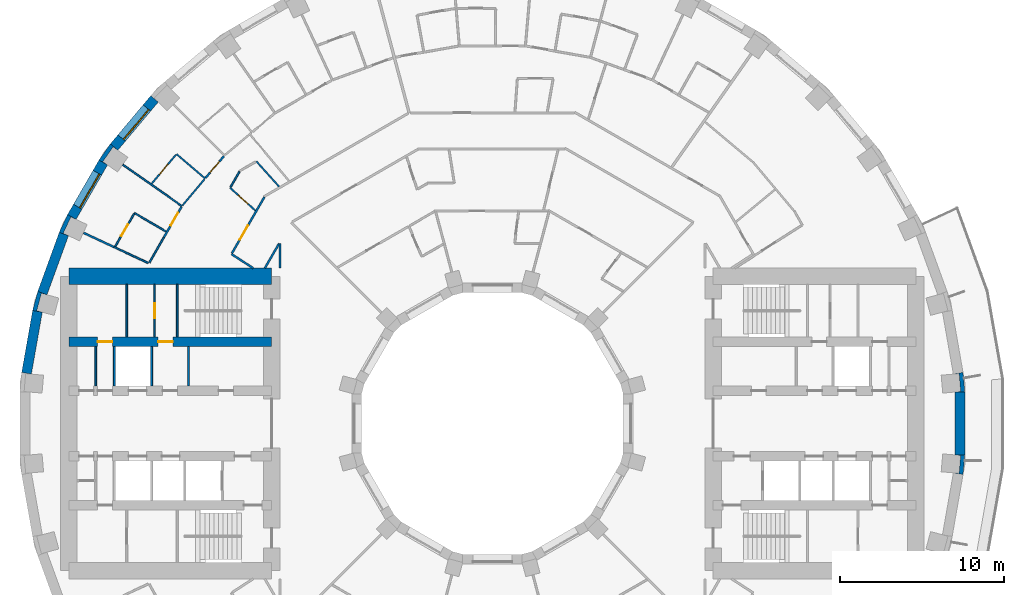
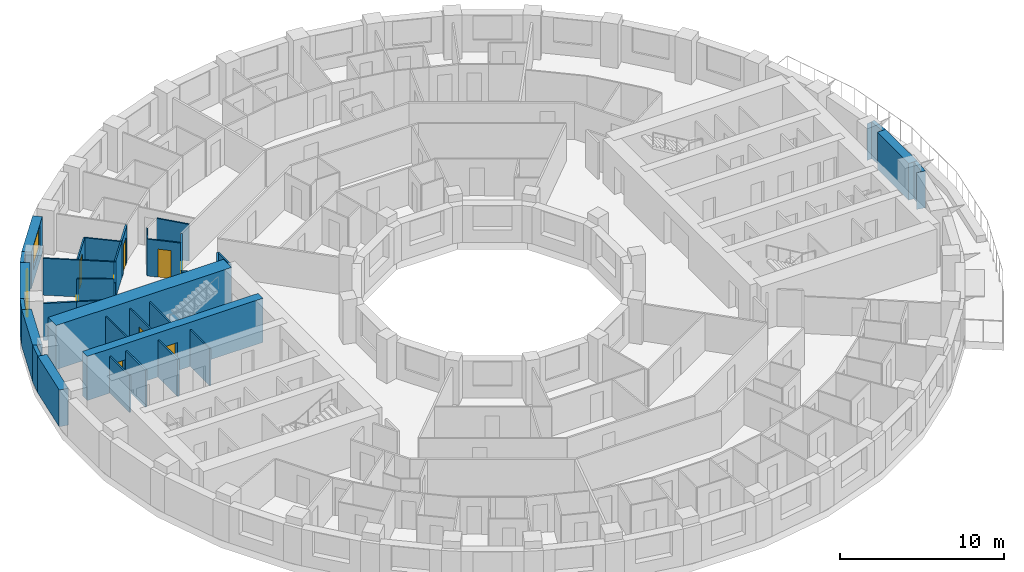
# One storey, part 8 of 14: 37 walls, 9 doors, 2 windows, 11 openings.
"""IFC4 building model written with IfcOpenShell, lengths in metres."""

from ifc_helpers import new_model, si_unit, direction, frame, frame_2d, origin, place, context, subcontext, project, spatial, polyline, rectangle, outline, extrude, material, layer, layer_set, type_object, element, fill, save


model = new_model("IFC4")

# Units and contexts
model_context = context("Model", 3, precision=1e-05, world=origin(), true_north=direction((0.0, 1.0)))
body_context = subcontext(model_context, "Body", "Model", "MODEL_VIEW")
ifc_project = project(units=[si_unit("LENGTHUNIT", "METRE"), si_unit("AREAUNIT", "SQUARE_METRE"), si_unit("VOLUMEUNIT", "CUBIC_METRE"), si_unit("PLANEANGLEUNIT", "RADIAN"), si_unit("MASSUNIT", "GRAM", prefix="KILO")], contexts=[model_context])

# Site, building, storey
site_placement = place(None, origin())
site = spatial("IfcSite", under=ifc_project, at=site_placement, CompositionType="ELEMENT")
building_placement = place(site_placement, origin())
building = spatial("IfcBuilding", under=site, at=building_placement, Name="Saqina Gate Tower", CompositionType="ELEMENT")
storey_placement = place(building_placement, frame((0.0, 0.0, 49.39990234375)))
storey = spatial("IfcBuildingStorey", under=building, at=storey_placement, Name="L13", CompositionType="ELEMENT", Elevation=49.39990234375)

# Walls
ifc_material_1 = material(Name="Brick masonry (red)", Category="masonry")
wall_type_1 = type_object("IfcWallType", Name="BRICK PIER COPING RED", PredefinedType="SOLIDWALL", material=ifc_material_1)
wall_1_placement = place(storey_placement, origin())
element("IfcWall", 1, at=wall_1_placement, inside=storey, type_object=wall_type_1, Name="Pier cap L13 column 1", PredefinedType="SOLIDWALL", context=body_context, shape_type="SweptSolid", body=[
    extrude(outline(polyline([(28.8896484375, 1.9228515625), (28.78466796875, 3.122802734375), (28.19384765625, 3.018798828125), (28.54296875, 3.04931640625), (28.638671875, 1.95361328125), (28.28955078125, 1.9228515625), (28.8896484375, 1.9228515625)])), origin(), (0.0, 0.0, 1.0), 2.75),
])
wall_2_placement = place(storey_placement, origin())
element("IfcWall", 2, at=wall_2_placement, inside=storey, type_object=wall_type_1, Name="Pier cap L13 column 15", PredefinedType="SOLIDWALL", context=body_context, shape_type="SweptSolid", body=[
    extrude(outline(polyline([(-23.36669921875, 17.096923828125), (-24.0576171875, 16.110107421875), (-23.5380859375, 15.81005859375), (-23.8251953125, 16.010986328125), (-23.194091796875, 16.912109375), (-22.9072265625, 16.711181640625), (-23.36669921875, 17.096923828125)])), origin(), (0.0, 0.0, 1.0), 2.75),
])
wall_3_placement = place(storey_placement, origin())
element("IfcWall", 3, at=wall_3_placement, inside=storey, type_object=wall_type_1, Name="Pier cap L13 column 16", PredefinedType="SOLIDWALL", context=body_context, shape_type="SweptSolid", body=[
    extrude(outline(polyline([(-26.48974609375, 11.687744140625), (-25.92578125, 11.482666015625), (-26.243408203125, 11.630615234375), (-25.778564453125, 12.627685546875), (-25.4609375, 12.4794921875), (-25.980712890625, 12.779541015625), (-26.48974609375, 11.687744140625)])), origin(), (0.0, 0.0, 1.0), 2.75),
])
wall_4_placement = place(storey_placement, origin())
element("IfcWall", 4, at=wall_4_placement, inside=storey, type_object=wall_type_1, Name="Pier cap L13 column 17", PredefinedType="SOLIDWALL", context=body_context, shape_type="SweptSolid", body=[
    extrude(outline(polyline([(-28.11669921875, 6.910400390625), (-27.52587890625, 6.80615234375), (-27.864501953125, 6.896728515625), (-27.57958984375, 7.95947265625), (-27.2412109375, 7.86865234375), (-27.80517578125, 8.073974609375), (-28.11669921875, 6.910400390625)])), origin(), (0.0, 0.0, 1.0), 2.75),
])
wall_5_placement = place(storey_placement, origin())
element("IfcWall", 5, at=wall_5_placement, inside=storey, type_object=wall_type_1, Name="Pier cap L13 column 36", PredefinedType="SOLIDWALL", context=body_context, shape_type="SweptSolid", body=[
    extrude(outline(polyline([(28.78466796875, -3.122802734375), (28.8896484375, -1.9228515625), (28.28955078125, -1.9228515625), (28.638671875, -1.95361328125), (28.54296875, -3.04931640625), (28.19384765625, -3.018798828125), (28.78466796875, -3.122802734375)])), origin(), (0.0, 0.0, 1.0), 2.75),
])
ifc_material_2 = material(Name="Gypsum board on steel studs", Category="steel")
ifc_layer_1 = layer(ifc_material_2, 0.10009765625)
ifc_layer_set_1 = layer_set([ifc_layer_1], Name="CORE PARTITION")
wall_type_2 = type_object("IfcWallType", Name="CORE PARTITION", PredefinedType="PARTITIONING", material=ifc_layer_set_1)
for number, where, z_axis, x_axis, name in (
    (6, (-18.582763671875, 2.300048828125, 0.0), (0.0, 0.0, 1.0), (0.0, 1.0, 0.0), "L13-CP-W01"),
    (7, (-24.260009765625, 2.300048828125, 0.0), (0.0, 0.0, 1.0), (0.0, 1.0, 0.0), "L13-CP-W04"),
):
    element("IfcWall", number, at=place(storey_placement, frame(where, z_axis=z_axis, x_axis=x_axis)), inside=storey, type_object=wall_type_2, Name=name, PredefinedType="PARTITIONING", context=body_context, shape_type="SweptSolid", body=[
        extrude(rectangle(XDim=2.39990234375, YDim=0.10009765625, at=frame_2d((1.199951171875, 0.0))), origin(), (0.0, 0.0, 1.0), 2.75),
    ])

# Wall, opening, door
wall_6_placement = place(storey_placement, frame((-20.65771484375, 5.300048828125, 0.0), z_axis=(0.0, 0.0, 1.0), x_axis=(0.0, 1.0, 0.0)))
wall_6 = element("IfcWall", 8, at=wall_6_placement, inside=storey, type_object=wall_type_2, Name="L13-CP-W12", PredefinedType="PARTITIONING", context=body_context, shape_type="SweptSolid", body=[
    extrude(rectangle(XDim=3.199951171875, YDim=0.10009765625, at=frame_2d((1.60009765625, 0.0))), origin(), (0.0, 0.0, 1.0), 2.75),
])
opening_1_placement = place(wall_6_placement, frame((1.14990234375, 0.0, 0.0)))
opening_1 = element("IfcOpeningElement", 9, at=opening_1_placement, cuts=wall_6, Name="Opening G03-D114", PredefinedType="OPENING", context=body_context, shape_type="SweptSolid", body=[
    extrude(rectangle(XDim=0.89990234375, YDim=2.10009765625, at=frame_2d((0.449951171875, 1.050048828125))), frame((0.0, 0.06201171875, 0.0), z_axis=(0.0, -1.0, 0.0), x_axis=(1.0, 0.0, 0.0)), (0.0, 0.0, 1.0), 0.1240234375),
])
ifc_material_3 = material(Name="Steel-framed fire door leaf, EI 60", Category="steel")
door_type_1 = type_object("IfcDoorType", Name="SERVICE ROOM DOOR 900", OperationType="SINGLE_SWING_LEFT", PredefinedType="DOOR", material=ifc_material_3)
door_1_placement = place(opening_1_placement, origin())
door_1 = element("IfcDoor", 10, at=door_1_placement, inside=storey, type_object=door_type_1, Name="L13-CD-W25", OperationType="SINGLE_SWING_LEFT", OverallHeight=2.10009765625, OverallWidth=0.89990234375, PredefinedType="DOOR", context=body_context, shape_type="SweptSolid", body=[
    extrude(rectangle(XDim=0.89990234375, YDim=2.10009765625, at=frame_2d((0.449951171875, 1.050048828125))), frame((0.0, 0.02490234375, 0.0), z_axis=(0.0, -1.0, 0.0), x_axis=(1.0, 0.0, 0.0)), (0.0, 0.0, 1.0), 0.050048828125),
])
fill(opening_1, door_1)

# Wall
wall_7_placement = place(storey_placement, frame((-22.360107421875, 5.300048828125, 0.0), z_axis=(0.0, 0.0, 1.0), x_axis=(0.0, 1.0, 0.0)))
element("IfcWall", 11, at=wall_7_placement, inside=storey, type_object=wall_type_2, Name="L13-CP-W13", PredefinedType="PARTITIONING", context=body_context, shape_type="SweptSolid", body=[
    extrude(rectangle(XDim=3.199951171875, YDim=0.10009765625, at=frame_2d((1.60009765625, 0.0))), origin(), (0.0, 0.0, 1.0), 2.75),
])

# Wall, opening, window
ifc_material_4 = material(Name="Brick masonry (red)", Category="masonry")
ifc_layer_2 = layer(ifc_material_4, 0.60009765625)
ifc_layer_set_2 = layer_set([ifc_layer_2], Name="FW-BRICK-RED")
wall_type_3 = type_object("IfcWallType", Name="FW-BRICK-RED", PredefinedType="SOLIDWALL", material=ifc_layer_set_2)
wall_8_placement = place(storey_placement, frame((-20.664794921875, 19.85009765625, 0.0), z_axis=(0.0, 0.0, 1.0), x_axis=(-0.642809392687, -0.766026164483, 0.0)))
wall_8 = element("IfcWall", 12, at=wall_8_placement, inside=storey, type_object=wall_type_3, Name="Facade wall L13 facet 14", PredefinedType="SOLIDWALL", context=body_context, shape_type="SweptSolid", body=[
    extrude(rectangle(XDim=3.845947265625, YDim=0.60009765625, at=frame_2d((1.9228515625, 0.0))), origin(), (0.0, 0.0, 1.0), 2.75),
])
opening_2_placement = place(wall_8_placement, frame((0.722900390625, 0.0, 0.89990234375)))
opening_2 = element("IfcOpeningElement", 13, at=opening_2_placement, cuts=wall_8, Name="Opening G03-W12", PredefinedType="OPENING", context=body_context, shape_type="SweptSolid", body=[
    extrude(rectangle(XDim=2.39990234375, YDim=1.800048828125, at=frame_2d((1.199951171875, 0.89990234375))), frame((0.0, 0.31201171875, 0.0), z_axis=(0.0, -1.0, 0.0), x_axis=(1.0, 0.0, 0.0)), (0.0, 0.0, 1.0), 0.6240234375),
])
ifc_material_5 = material(Name="Aluminium glazing", Category="aluminium")
window_type = type_object("IfcWindowType", Name="WN-A", PartitioningType="SINGLE_PANEL", PredefinedType="WINDOW", material=ifc_material_5)
window_1_placement = place(opening_2_placement, origin())
window_1 = element("IfcWindow", 14, at=window_1_placement, inside=storey, type_object=window_type, Name="Window L13 facet 14", OverallHeight=1.800048828125, OverallWidth=2.39990234375, PartitioningType="SINGLE_PANEL", PredefinedType="WINDOW", context=body_context, shape_type="SweptSolid", body=[
    extrude(rectangle(XDim=2.39990234375, YDim=1.800048828125, at=frame_2d((1.199951171875, 0.89990234375))), frame((0.0, 0.179931640625, 0.0), z_axis=(0.0, -1.0, 0.0), x_axis=(1.0, 0.0, 0.0)), (0.0, 0.0, 1.0), 0.06005859375),
])
fill(opening_2, window_1)

wall_9_placement = place(storey_placement, frame((-23.7978515625, 15.960205078125, 0.0), z_axis=(0.0, 0.0, 1.0), x_axis=(-0.499989888488, -0.86603124159, 0.0)))
wall_9 = element("IfcWall", 15, at=wall_9_placement, inside=storey, type_object=wall_type_3, Name="Facade wall L13 facet 15", PredefinedType="SOLIDWALL", context=body_context, shape_type="SweptSolid", body=[
    extrude(rectangle(XDim=3.845703125, YDim=0.60009765625, at=frame_2d((1.9228515625, 0.0))), origin(), (0.0, 0.0, 1.0), 2.75),
])
opening_3_placement = place(wall_9_placement, frame((0.722900390625, 0.0, 0.89990234375)))
opening_3 = element("IfcOpeningElement", 16, at=opening_3_placement, cuts=wall_9, Name="Opening G03-W13", PredefinedType="OPENING", context=body_context, shape_type="SweptSolid", body=[
    extrude(rectangle(XDim=2.39990234375, YDim=1.800048828125, at=frame_2d((1.199951171875, 0.89990234375))), frame((0.0, 0.31201171875, 0.0), z_axis=(0.0, -1.0, 0.0), x_axis=(1.0, 0.0, 0.0)), (0.0, 0.0, 1.0), 0.6240234375),
])
window_2_placement = place(opening_3_placement, origin())
window_2 = element("IfcWindow", 17, at=window_2_placement, inside=storey, type_object=window_type, Name="Window L13 facet 15", OverallHeight=1.800048828125, OverallWidth=2.39990234375, PartitioningType="SINGLE_PANEL", PredefinedType="WINDOW", context=body_context, shape_type="SweptSolid", body=[
    extrude(rectangle(XDim=2.39990234375, YDim=1.800048828125, at=frame_2d((1.199951171875, 0.89990234375))), frame((0.0, 0.179931640625, 0.0), z_axis=(0.0, -1.0, 0.0), x_axis=(1.0, 0.0, 0.0)), (0.0, 0.0, 1.0), 0.06005859375),
])
fill(opening_3, window_2)

# Walls
ifc_material_6 = material(Name="Glazed ceramic tile", Category="ceramic")
ifc_layer_3 = layer(ifc_material_6, 0.60009765625)
ifc_layer_set_3 = layer_set([ifc_layer_3], Name="FW-TILE")
wall_type_4 = type_object("IfcWallType", Name="FW-TILE", PredefinedType="SOLIDWALL", material=ifc_layer_set_3)
wall_10_placement = place(storey_placement, frame((-26.207763671875, 11.585205078125, 0.0), z_axis=(0.0, 0.0, 1.0), x_axis=(-0.342028474173, -0.939689588564, 0.0)))
element("IfcWall", 18, at=wall_10_placement, inside=storey, type_object=wall_type_4, Name="Facade wall L13 facet 16", PredefinedType="SOLIDWALL", context=body_context, shape_type="SweptSolid", body=[
    extrude(rectangle(XDim=3.845947265625, YDim=0.60009765625, at=frame_2d((1.9228515625, 0.0))), origin(), (0.0, 0.0, 1.0), 2.75),
])
wall_11_placement = place(storey_placement, frame((28.589599609375, -1.9228515625, 0.0), z_axis=(0.0, 0.0, 1.0), x_axis=(0.0, 1.0, 0.0)))
element("IfcWall", 19, at=wall_11_placement, inside=storey, type_object=wall_type_4, Name="Facade wall L13 facet 36", PredefinedType="SOLIDWALL", context=body_context, shape_type="SweptSolid", body=[
    extrude(rectangle(XDim=3.845703125, YDim=0.60009765625, at=frame_2d((1.9228515625, 0.0))), origin(), (0.0, 0.0, 1.0), 2.75),
])
ifc_material_7 = material(Name="Glazed ceramic tile (dark blue)", Category="ceramic")
ifc_layer_4 = layer(ifc_material_7, 0.60009765625)
ifc_layer_set_4 = layer_set([ifc_layer_4], Name="FW-TILE-CB")
wall_type_5 = type_object("IfcWallType", Name="FW-TILE-CB", PredefinedType="SOLIDWALL", material=ifc_layer_set_4)
wall_12_placement = place(storey_placement, frame((-27.8212890625, 6.858154296875, 0.0), z_axis=(0.0, 0.0, 1.0), x_axis=(-0.173687553279, -0.984800809218, 0.0)))
element("IfcWall", 20, at=wall_12_placement, inside=storey, type_object=wall_type_5, Name="Facade wall L13 facet 17", PredefinedType="SOLIDWALL", context=body_context, shape_type="SweptSolid", body=[
    extrude(rectangle(XDim=3.845703125, YDim=0.60009765625, at=frame_2d((1.9228515625, 0.0))), origin(), (0.0, 0.0, 1.0), 2.75),
])
ifc_material_8 = material(Name="Gypsum board on steel studs, 100 mm", Category="steel")
ifc_layer_5 = layer(ifc_material_8, 0.10009765625)
ifc_layer_set_5 = layer_set([ifc_layer_5], Name="PARTITION 100")
wall_type_6 = type_object("IfcWallType", Name="PARTITION 100", PredefinedType="PARTITIONING", material=ifc_layer_set_5)
wall_13_placement = place(storey_placement, frame((-14.43408203125, 16.030029296875, 0.0), z_axis=(0.0, 0.0, 1.0), x_axis=(0.669113598408, -0.743160139153, 0.0)))
element("IfcWall", 21, at=wall_13_placement, inside=storey, type_object=wall_type_6, Name="PARTITION PW3-32", PredefinedType="PARTITIONING", context=body_context, shape_type="SweptSolid", body=[
    extrude(rectangle(XDim=2.083740234375, YDim=0.10009765625, at=frame_2d((1.0419921875, 0.0))), origin(), (0.0, 0.0, 1.0), 2.75),
])

# Wall, opening, door
wall_14_placement = place(storey_placement, frame((-16.0419921875, 14.4130859375, 0.0), z_axis=(0.0, 0.0, 1.0), x_axis=(0.743835847678, -0.668362350608, 0.0)))
wall_14 = element("IfcWall", 22, at=wall_14_placement, inside=storey, type_object=wall_type_6, Name="PARTITION PW3-35", PredefinedType="PARTITIONING", context=body_context, shape_type="SweptSolid", body=[
    extrude(rectangle(XDim=2.083251953125, YDim=0.10009765625, at=frame_2d((1.04150390625, 0.0))), origin(), (0.0, 0.0, 1.0), 2.75),
])
opening_4_placement = place(wall_14_placement, frame((0.6728515625, 0.0, 0.0)))
opening_4 = element("IfcOpeningElement", 23, at=opening_4_placement, cuts=wall_14, Name="Opening G03-D34", PredefinedType="OPENING", context=body_context, shape_type="SweptSolid", body=[
    extrude(rectangle(XDim=0.800048828125, YDim=2.10009765625, at=frame_2d((0.39990234375, 1.050048828125))), frame((0.0, 0.06201171875, 0.0), z_axis=(0.0, -1.0, 0.0), x_axis=(1.0, 0.0, 0.0)), (0.0, 0.0, 1.0), 0.1240234375),
])
ifc_material_9 = material(Name="Timber door leaf, 800 mm", Category="wood")
door_type_2 = type_object("IfcDoorType", Name="DOOR 800 TIMBER", OperationType="SINGLE_SWING_LEFT", PredefinedType="DOOR", material=ifc_material_9)
door_2_placement = place(opening_4_placement, frame((0.800048828125, 0.0, 0.0), z_axis=(0.0, 0.0, 1.0), x_axis=(-1.0, 0.0, 0.0)))
door_2 = element("IfcDoor", 24, at=door_2_placement, inside=storey, type_object=door_type_2, Name="DOOR G03-D34", OperationType="SINGLE_SWING_LEFT", OverallHeight=2.10009765625, OverallWidth=0.800048828125, PredefinedType="DOOR", context=body_context, shape_type="SweptSolid", body=[
    extrude(rectangle(XDim=0.800048828125, YDim=2.10009765625, at=frame_2d((0.39990234375, 1.050048828125))), frame((0.0, 0.02490234375, 0.0), z_axis=(0.0, -1.0, 0.0), x_axis=(1.0, 0.0, 0.0)), (0.0, 0.0, 1.0), 0.050048828125),
])
fill(opening_4, door_2)

# Walls
wall_15_placement = place(storey_placement, frame((-19.319091796875, 16.47607421875, 0.0), z_axis=(0.0, 0.0, 1.0), x_axis=(0.760722977127, -0.649076691979, 0.0)))
element("IfcWall", 25, at=wall_15_placement, inside=storey, type_object=wall_type_6, Name="PARTITION PW3-36", PredefinedType="PARTITIONING", context=body_context, shape_type="SweptSolid", body=[
    extrude(rectangle(XDim=2.300537109375, YDim=0.10009765625, at=frame_2d((1.150390625, 0.0))), origin(), (0.0, 0.0, 1.0), 2.75),
])
wall_16_placement = place(storey_placement, frame((-22.597412109375, 15.829345703125, 0.0), z_axis=(0.0, 0.0, 1.0), x_axis=(0.818435722788, -0.57459809229, 0.0)))
element("IfcWall", 26, at=wall_16_placement, inside=storey, type_object=wall_type_6, Name="PARTITION PW3-41", PredefinedType="PARTITIONING", context=body_context, shape_type="SweptSolid", body=[
    extrude(rectangle(XDim=4.41259765625, YDim=0.10009765625, at=frame_2d((2.206298828125, 0.0))), origin(), (0.0, 0.0, 1.0), 2.75),
])
wall_17_placement = place(storey_placement, frame((-21.885986328125, 12.87109375, 0.0), z_axis=(0.0, 0.0, 1.0), x_axis=(0.861880909545, -0.507110735206, 0.0)))
element("IfcWall", 27, at=wall_17_placement, inside=storey, type_object=wall_type_6, Name="PARTITION PW3-43", PredefinedType="PARTITIONING", context=body_context, shape_type="SweptSolid", body=[
    extrude(rectangle(XDim=2.2373046875, YDim=0.10009765625, at=frame_2d((1.11865234375, 0.0))), origin(), (0.0, 0.0, 1.0), 2.75),
])
wall_18_placement = place(storey_placement, frame((-23.144287109375, 10.7919921875, 0.0), z_axis=(0.0, 0.0, 1.0), x_axis=(0.906334330548, -0.422561334329, 0.0)))
element("IfcWall", 28, at=wall_18_placement, inside=storey, type_object=wall_type_6, Name="PARTITION PW3-52", PredefinedType="PARTITIONING", context=body_context, shape_type="SweptSolid", body=[
    extrude(rectangle(XDim=2.309326171875, YDim=0.10009765625, at=frame_2d((1.15478515625, 0.0))), origin(), (0.0, 0.0, 1.0), 2.75),
])
wall_19_placement = place(storey_placement, frame((-18.953857421875, 13.332275390625, 0.0), z_axis=(0.0, 0.0, 1.0), x_axis=(0.642759429892, 0.766068087891, 0.0)))
element("IfcWall", 29, at=wall_19_placement, inside=storey, type_object=wall_type_6, Name="PARTITION PW3-103", PredefinedType="PARTITIONING", context=body_context, shape_type="SweptSolid", body=[
    extrude(rectangle(XDim=2.104736328125, YDim=0.10009765625, at=frame_2d((1.05224609375, 0.0))), origin(), (0.0, 0.0, 1.0), 2.75),
])

# Wall, opening, door
wall_20_placement = place(storey_placement, frame((-20.844970703125, 14.6572265625, 0.0), z_axis=(0.0, 0.0, 1.0), x_axis=(0.642753483788, 0.766073076853, 0.0)))
wall_20 = element("IfcWall", 30, at=wall_20_placement, inside=storey, type_object=wall_type_6, Name="PARTITION PW3-104", PredefinedType="PARTITIONING", context=body_context, shape_type="SweptSolid", body=[
    extrude(rectangle(XDim=2.32421875, YDim=0.10009765625, at=frame_2d((1.162109375, 0.0))), origin(), (0.0, 0.0, 1.0), 2.75),
])
opening_5_placement = place(wall_20_placement, frame((0.761962890625, 0.0, 0.0)))
opening_5 = element("IfcOpeningElement", 31, at=opening_5_placement, cuts=wall_20, Name="Opening G03-D35", PredefinedType="OPENING", context=body_context, shape_type="SweptSolid", body=[
    extrude(rectangle(XDim=0.800048828125, YDim=2.10009765625, at=frame_2d((0.39990234375, 1.050048828125))), frame((0.0, 0.06201171875, 0.0), z_axis=(0.0, -1.0, 0.0), x_axis=(1.0, 0.0, 0.0)), (0.0, 0.0, 1.0), 0.1240234375),
])
door_3_placement = place(opening_5_placement, origin())
door_3 = element("IfcDoor", 32, at=door_3_placement, inside=storey, type_object=door_type_2, Name="DOOR G03-D35", OperationType="SINGLE_SWING_LEFT", OverallHeight=2.10009765625, OverallWidth=0.800048828125, PredefinedType="DOOR", context=body_context, shape_type="SweptSolid", body=[
    extrude(rectangle(XDim=0.800048828125, YDim=2.10009765625, at=frame_2d((0.39990234375, 1.050048828125))), frame((0.0, 0.02490234375, 0.0), z_axis=(0.0, -1.0, 0.0), x_axis=(1.0, 0.0, 0.0)), (0.0, 0.0, 1.0), 0.050048828125),
])
fill(opening_5, door_3)

# Walls
wall_21_placement = place(storey_placement, frame((-16.01708984375, 14.456298828125, 0.0), z_axis=(0.0, 0.0, 1.0), x_axis=(0.499864305946, 0.86610373261, 0.0)))
element("IfcWall", 33, at=wall_21_placement, inside=storey, type_object=wall_type_6, Name="PARTITION PW3-108", PredefinedType="PARTITIONING", context=body_context, shape_type="SweptSolid", body=[
    extrude(rectangle(XDim=1.092529296875, YDim=0.10009765625, at=frame_2d((0.54638671875, 0.0))), origin(), (0.0, 0.0, 1.0), 2.75),
])
wall_22_placement = place(storey_placement, frame((-20.98095703125, 9.83837890625, 0.0), z_axis=(0.0, 0.0, 1.0), x_axis=(0.49973828311, 0.866176453382, 0.0)))
element("IfcWall", 34, at=wall_22_placement, inside=storey, type_object=wall_type_6, Name="PARTITION PW3-109", PredefinedType="PARTITIONING", context=body_context, shape_type="SweptSolid", body=[
    extrude(rectangle(XDim=1.7802734375, YDim=0.10009765625, at=frame_2d((0.89013671875, 0.0))), origin(), (0.0, 0.0, 1.0), 2.75),
])

# Wall, opening, door
wall_23_placement = place(storey_placement, frame((-23.07275390625, 10.816162109375, 0.0), z_axis=(0.0, 0.0, 1.0), x_axis=(0.500174283544, 0.865924757748, 0.0)))
wall_23 = element("IfcWall", 35, at=wall_23_placement, inside=storey, type_object=wall_type_6, Name="PARTITION PW3-110", PredefinedType="PARTITIONING", context=body_context, shape_type="SweptSolid", body=[
    extrude(rectangle(XDim=2.322998046875, YDim=0.10009765625, at=frame_2d((1.16162109375, 0.0))), origin(), (0.0, 0.0, 1.0), 2.75),
])
opening_6_placement = place(wall_23_placement, frame((0.76025390625, 0.0, 0.0)))
opening_6 = element("IfcOpeningElement", 36, at=opening_6_placement, cuts=wall_23, Name="Opening G03-D38", PredefinedType="OPENING", context=body_context, shape_type="SweptSolid", body=[
    extrude(rectangle(XDim=0.800048828125, YDim=2.10009765625, at=frame_2d((0.39990234375, 1.050048828125))), frame((0.0, 0.06201171875, 0.0), z_axis=(0.0, -1.0, 0.0), x_axis=(1.0, 0.0, 0.0)), (0.0, 0.0, 1.0), 0.1240234375),
])
door_4_placement = place(opening_6_placement, origin())
door_4 = element("IfcDoor", 37, at=door_4_placement, inside=storey, type_object=door_type_2, Name="DOOR G03-D38", OperationType="SINGLE_SWING_LEFT", OverallHeight=2.10009765625, OverallWidth=0.800048828125, PredefinedType="DOOR", context=body_context, shape_type="SweptSolid", body=[
    extrude(rectangle(XDim=0.800048828125, YDim=2.10009765625, at=frame_2d((0.39990234375, 1.050048828125))), frame((0.0, 0.02490234375, 0.0), z_axis=(0.0, -1.0, 0.0), x_axis=(1.0, 0.0, 0.0)), (0.0, 0.0, 1.0), 0.050048828125),
])
fill(opening_6, door_4)

# Walls
ifc_material_10 = material(Name="Gypsum board on steel studs, 125 mm, fire rated", Category="steel")
ifc_layer_6 = layer(ifc_material_10, 0.125)
ifc_layer_set_6 = layer_set([ifc_layer_6], Name="PARTITION EI 30 125")
wall_type_7 = type_object("IfcWallType", Name="PARTITION EI 30 125", PredefinedType="PARTITIONING", material=ifc_layer_set_6)
wall_24_placement = place(storey_placement, frame((-15.95703125, 10.362060546875, 0.0), z_axis=(0.0, 0.0, 1.0), x_axis=(0.838795721465, -0.544446267002, 0.0)))
element("IfcWall", 38, at=wall_24_placement, inside=storey, type_object=wall_type_7, Name="PARTITION PW1-10", PredefinedType="PARTITIONING", context=body_context, shape_type="SweptSolid", body=[
    extrude(rectangle(XDim=1.583251953125, YDim=0.125, at=frame_2d((0.79150390625, 0.0))), origin(), (0.0, 0.0, 1.0), 2.75),
])
wall_25_placement = place(storey_placement, frame((-25.005126953125, 11.65966796875, 0.0), z_axis=(0.0, 0.0, 1.0), x_axis=(0.906316757735, -0.422599023483, 0.0)))
element("IfcWall", 39, at=wall_25_placement, inside=storey, type_object=wall_type_7, Name="PARTITION PW1-19", PredefinedType="PARTITIONING", context=body_context, shape_type="SweptSolid", body=[
    extrude(rectangle(XDim=2.05322265625, YDim=0.125, at=frame_2d((1.026611328125, 0.0))), origin(), (0.0, 0.0, 1.0), 2.75),
])

# Wall, opening, door
wall_26_placement = place(storey_placement, frame((-17.536865234375, 15.021240234375, 0.0), z_axis=(0.0, 0.0, 1.0), x_axis=(0.642878617967, 0.765968068891, 0.0)))
wall_26 = element("IfcWall", 40, at=wall_26_placement, inside=storey, type_object=wall_type_7, Name="PARTITION PW1-50", PredefinedType="PARTITIONING", context=body_context, shape_type="SweptSolid", body=[
    extrude(rectangle(XDim=1.735595703125, YDim=0.125, at=frame_2d((0.86767578125, 0.0))), origin(), (0.0, 0.0, 1.0), 2.75),
])
opening_7_placement = place(wall_26_placement, frame((0.417724609375, 0.0, 0.0)))
opening_7 = element("IfcOpeningElement", 41, at=opening_7_placement, cuts=wall_26, Name="Opening G03-D33", PredefinedType="OPENING", context=body_context, shape_type="SweptSolid", body=[
    extrude(rectangle(XDim=0.89990234375, YDim=2.10009765625, at=frame_2d((0.449951171875, 1.050048828125))), frame((0.0, 0.074462890625, 0.0), z_axis=(0.0, -1.0, 0.0), x_axis=(1.0, 0.0, 0.0)), (0.0, 0.0, 1.0), 0.14892578125),
])
ifc_material_11 = material(Name="Fire door leaf EI 30, 900 mm")
door_type_3 = type_object("IfcDoorType", Name="DOOR 900 EI 30", OperationType="SINGLE_SWING_LEFT", PredefinedType="DOOR", material=ifc_material_11)
door_5_placement = place(opening_7_placement, frame((0.89990234375, 0.0, 0.0), z_axis=(0.0, 0.0, 1.0), x_axis=(-1.0, 0.0, 0.0)))
door_5 = element("IfcDoor", 42, at=door_5_placement, inside=storey, type_object=door_type_3, Name="DOOR G03-D33", OperationType="SINGLE_SWING_LEFT", OverallHeight=2.10009765625, OverallWidth=0.89990234375, PredefinedType="DOOR", context=body_context, shape_type="SweptSolid", body=[
    extrude(rectangle(XDim=0.89990234375, YDim=2.10009765625, at=frame_2d((0.449951171875, 1.050048828125))), frame((0.0, 0.02490234375, 0.0), z_axis=(0.0, -1.0, 0.0), x_axis=(1.0, 0.0, 0.0)), (0.0, 0.0, 1.0), 0.050048828125),
])
fill(opening_7, door_5)

# Wall
wall_27_placement = place(storey_placement, frame((-13.9140625, 9.5, 0.0), z_axis=(0.0, 0.0, 1.0), x_axis=(0.500066958712, 0.865986741702, 0.0)))
element("IfcWall", 43, at=wall_27_placement, inside=storey, type_object=wall_type_7, Name="PARTITION PW1-53", PredefinedType="PARTITIONING", context=body_context, shape_type="SweptSolid", body=[
    extrude(rectangle(XDim=1.738037109375, YDim=0.125, at=frame_2d((0.869140625, 0.0))), origin(), (0.0, 0.0, 1.0), 2.75),
])

# Wall, opening, door
wall_28_placement = place(storey_placement, frame((-15.92578125, 10.416015625, 0.0), z_axis=(0.0, 0.0, 1.0), x_axis=(0.500020477838, 0.866013580576, 0.0)))
wall_28 = element("IfcWall", 44, at=wall_28_placement, inside=storey, type_object=wall_type_7, Name="PARTITION PW1-54", PredefinedType="PARTITIONING", context=body_context, shape_type="SweptSolid", body=[
    extrude(rectangle(XDim=3.970947265625, YDim=0.125, at=frame_2d((1.9853515625, 0.0))), origin(), (0.0, 0.0, 1.0), 2.75),
])
opening_8_placement = place(wall_28_placement, frame((0.948486328125, 0.0, 0.0)))
opening_8 = element("IfcOpeningElement", 45, at=opening_8_placement, cuts=wall_28, Name="Opening G03-D36", PredefinedType="OPENING", context=body_context, shape_type="SweptSolid", body=[
    extrude(rectangle(XDim=1.0, YDim=2.10009765625, at=frame_2d((0.5, 1.050048828125))), frame((0.0, 0.074462890625, 0.0), z_axis=(0.0, -1.0, 0.0), x_axis=(1.0, 0.0, 0.0)), (0.0, 0.0, 1.0), 0.14892578125),
])
ifc_material_12 = material(Name="Fire door leaf EI 30, 1000 mm")
door_type_4 = type_object("IfcDoorType", Name="DOOR 1000 EI 30", OperationType="SINGLE_SWING_LEFT", PredefinedType="DOOR", material=ifc_material_12)
door_6_placement = place(opening_8_placement, origin())
door_6 = element("IfcDoor", 46, at=door_6_placement, inside=storey, type_object=door_type_4, Name="DOOR G03-D36", OperationType="SINGLE_SWING_LEFT", OverallHeight=2.10009765625, OverallWidth=1.0, PredefinedType="DOOR", context=body_context, shape_type="SweptSolid", body=[
    extrude(rectangle(XDim=1.0, YDim=2.10009765625, at=frame_2d((0.5, 1.050048828125))), frame((0.0, 0.02490234375, 0.0), z_axis=(0.0, -1.0, 0.0), x_axis=(1.0, 0.0, 0.0)), (0.0, 0.0, 1.0), 0.050048828125),
])
fill(opening_8, door_6)

wall_29_placement = place(storey_placement, frame((-20.09130859375, 11.38037109375, 0.0), z_axis=(0.0, 0.0, 1.0), x_axis=(0.500296430081, 0.865854192141, 0.0)))
wall_29 = element("IfcWall", 47, at=wall_29_placement, inside=storey, type_object=wall_type_7, Name="PARTITION PW1-55", PredefinedType="PARTITIONING", context=body_context, shape_type="SweptSolid", body=[
    extrude(rectangle(XDim=2.159912109375, YDim=0.125, at=frame_2d((1.080078125, 0.0))), origin(), (0.0, 0.0, 1.0), 2.75),
])
opening_9_placement = place(wall_29_placement, frame((0.84228515625, 0.0, 0.0)))
opening_9 = element("IfcOpeningElement", 48, at=opening_9_placement, cuts=wall_29, Name="Opening G03-D37", PredefinedType="OPENING", context=body_context, shape_type="SweptSolid", body=[
    extrude(rectangle(XDim=0.89990234375, YDim=2.10009765625, at=frame_2d((0.449951171875, 1.050048828125))), frame((0.0, 0.074462890625, 0.0), z_axis=(0.0, -1.0, 0.0), x_axis=(1.0, 0.0, 0.0)), (0.0, 0.0, 1.0), 0.14892578125),
])
door_7_placement = place(opening_9_placement, frame((0.89990234375, 0.0, 0.0), z_axis=(0.0, 0.0, 1.0), x_axis=(-1.0, 0.0, 0.0)))
door_7 = element("IfcDoor", 49, at=door_7_placement, inside=storey, type_object=door_type_3, Name="DOOR G03-D37", OperationType="SINGLE_SWING_LEFT", OverallHeight=2.10009765625, OverallWidth=0.89990234375, PredefinedType="DOOR", context=body_context, shape_type="SweptSolid", body=[
    extrude(rectangle(XDim=0.89990234375, YDim=2.10009765625, at=frame_2d((0.449951171875, 1.050048828125))), frame((0.0, 0.02490234375, 0.0), z_axis=(0.0, -1.0, 0.0), x_axis=(1.0, 0.0, 0.0)), (0.0, 0.0, 1.0), 0.050048828125),
])
fill(opening_9, door_7)

# Walls
wall_30_placement = place(storey_placement, frame((-13.0, 9.5, 0.0), z_axis=(0.0, 0.0, 1.0), x_axis=(0.0, 1.0, 0.0)))
element("IfcWall", 50, at=wall_30_placement, inside=storey, type_object=wall_type_7, Name="PARTITION PW1-59", PredefinedType="PARTITIONING", context=body_context, shape_type="SweptSolid", body=[
    extrude(rectangle(XDim=1.5205078125, YDim=0.125, at=frame_2d((0.76025390625, 0.0))), origin(), (0.0, 0.0, 1.0), 2.75),
])
ifc_material_13 = material(Name="Autoclaved aerated concrete block", Category="concrete")
ifc_layer_7 = layer(ifc_material_13, 0.1201171875)
ifc_layer_set_7 = layer_set([ifc_layer_7], Name="SHAFT PARTITION")
wall_type_8 = type_object("IfcWallType", Name="SHAFT PARTITION", PredefinedType="PARTITIONING", material=ifc_layer_set_7)
for number, where, z_axis, x_axis, name in (
    (51, (-20.840087890625, 2.300048828125, 0.0), (0.0, 0.0, 1.0), (0.0, 1.0, 0.0), "L13-CP-W02"),
    (52, (-23.1201171875, 2.300048828125, 0.0), (0.0, 0.0, 1.0), (0.0, 1.0, 0.0), "L13-CP-W03"),
):
    element("IfcWall", number, at=place(storey_placement, frame(where, z_axis=z_axis, x_axis=x_axis)), inside=storey, type_object=wall_type_8, Name=name, PredefinedType="PARTITIONING", context=body_context, shape_type="SweptSolid", body=[
        extrude(rectangle(XDim=2.39990234375, YDim=0.1201171875, at=frame_2d((1.199951171875, 0.0))), origin(), (0.0, 0.0, 1.0), 2.75),
    ])
ifc_material_14 = material(Name="Autoclaved aerated concrete block", Category="concrete")
ifc_layer_8 = layer(ifc_material_14, 0.10009765625)
ifc_layer_set_8 = layer_set([ifc_layer_8], Name="STAIR ENCLOSURE WALL")
wall_type_9 = type_object("IfcWallType", Name="STAIR ENCLOSURE WALL", PredefinedType="PARTITIONING", material=ifc_layer_set_8)
wall_31_placement = place(storey_placement, frame((-19.27001953125, 5.300048828125, 0.0), z_axis=(0.0, 0.0, 1.0), x_axis=(0.0, 1.0, 0.0)))
element("IfcWall", 53, at=wall_31_placement, inside=storey, type_object=wall_type_9, Name="L13-CP-W11", PredefinedType="PARTITIONING", context=body_context, shape_type="SweptSolid", body=[
    extrude(rectangle(XDim=3.199951171875, YDim=0.10009765625, at=frame_2d((1.60009765625, 0.0))), origin(), (0.0, 0.0, 1.0), 2.75),
])

# Wall, openings, doors
ifc_material_15 = material(Name="Concrete C70/85", Category="concrete")
ifc_layer_9 = layer(ifc_material_15, 0.60009765625)
ifc_layer_set_9 = layer_set([ifc_layer_9], Name="Concrete C70/85")
wall_type_10 = type_object("IfcWallType", Name="STR-CORE WALL-A-I", PredefinedType="SHEAR", material=ifc_layer_set_9)
wall_32_placement = place(storey_placement, frame((-13.5, 5.0, 0.0), z_axis=(0.0, 0.0, 1.0), x_axis=(-1.0, 0.0, 0.0)))
wall_32 = element("IfcWall", 54, at=wall_32_placement, inside=storey, type_object=wall_type_10, Name="CORE WALL L13 W-X1", PredefinedType="SHEAR", context=body_context, shape_type="SweptSolid", body=[
    extrude(rectangle(XDim=12.39990234375, YDim=0.60009765625, at=frame_2d((6.199951171875, 0.0))), origin(), (0.0, 0.0, 1.0), 3.300048828125),
])
opening_10_placement = place(wall_32_placement, frame((6.038818359375, 0.0, 0.0)))
opening_10 = element("IfcOpeningElement", 55, at=opening_10_placement, cuts=wall_32, Name="Opening G03-D115", PredefinedType="OPENING", context=body_context, shape_type="SweptSolid", body=[
    extrude(rectangle(XDim=0.89990234375, YDim=2.10009765625, at=frame_2d((0.449951171875, 1.050048828125))), frame((0.0, 0.31201171875, 0.0), z_axis=(0.0, -1.0, 0.0), x_axis=(1.0, 0.0, 0.0)), (0.0, 0.0, 1.0), 0.6240234375),
])
opening_11_placement = place(wall_32_placement, frame((9.739990234375, 0.0, 0.0)))
opening_11 = element("IfcOpeningElement", 56, at=opening_11_placement, cuts=wall_32, Name="Opening G03-D116", PredefinedType="OPENING", context=body_context, shape_type="SweptSolid", body=[
    extrude(rectangle(XDim=0.89990234375, YDim=2.10009765625, at=frame_2d((0.449951171875, 1.050048828125))), frame((0.0, 0.31201171875, 0.0), z_axis=(0.0, -1.0, 0.0), x_axis=(1.0, 0.0, 0.0)), (0.0, 0.0, 1.0), 0.6240234375),
])
door_8_placement = place(opening_10_placement, origin())
door_8 = element("IfcDoor", 57, at=door_8_placement, inside=storey, type_object=door_type_1, Name="L13-CD-W26", OperationType="SINGLE_SWING_RIGHT", OverallHeight=2.10009765625, OverallWidth=0.89990234375, PredefinedType="DOOR", context=body_context, shape_type="SweptSolid", body=[
    extrude(rectangle(XDim=0.89990234375, YDim=2.10009765625, at=frame_2d((0.449951171875, 1.050048828125))), frame((0.0, 0.02490234375, 0.0), z_axis=(0.0, -1.0, 0.0), x_axis=(1.0, 0.0, 0.0)), (0.0, 0.0, 1.0), 0.050048828125),
])
fill(opening_10, door_8)
door_9_placement = place(opening_11_placement, frame((0.89990234375, 0.0, 0.0), z_axis=(0.0, 0.0, 1.0), x_axis=(-1.0, 0.0, 0.0)))
door_9 = element("IfcDoor", 58, at=door_9_placement, inside=storey, type_object=door_type_1, Name="L13-CD-W27", OperationType="SINGLE_SWING_LEFT", OverallHeight=2.10009765625, OverallWidth=0.89990234375, PredefinedType="DOOR", context=body_context, shape_type="SweptSolid", body=[
    extrude(rectangle(XDim=0.89990234375, YDim=2.10009765625, at=frame_2d((0.449951171875, 1.050048828125))), frame((0.0, 0.02490234375, 0.0), z_axis=(0.0, -1.0, 0.0), x_axis=(1.0, 0.0, 0.0)), (0.0, 0.0, 1.0), 0.050048828125),
])
fill(opening_11, door_9)

# Wall
ifc_material_16 = material(Name="Concrete C70/85", Category="concrete")
ifc_layer_10 = layer(ifc_material_16, 1.0)
ifc_layer_set_10 = layer_set([ifc_layer_10], Name="Concrete C70/85")
wall_type_11 = type_object("IfcWallType", Name="STR-CORE WALL-A-O", PredefinedType="SHEAR", material=ifc_layer_set_10)
wall_33_placement = place(storey_placement, frame((-13.5, 9.0, 0.0), z_axis=(0.0, 0.0, 1.0), x_axis=(-1.0, 0.0, 0.0)))
element("IfcWall", 59, at=wall_33_placement, inside=storey, type_object=wall_type_11, Name="CORE WALL L13 W-NE", PredefinedType="SHEAR", context=body_context, shape_type="SweptSolid", body=[
    extrude(rectangle(XDim=12.39990234375, YDim=1.0, at=frame_2d((6.199951171875, 0.0))), origin(), (0.0, 0.0, 1.0), 3.300048828125),
])

save(model, "model.ifc")
